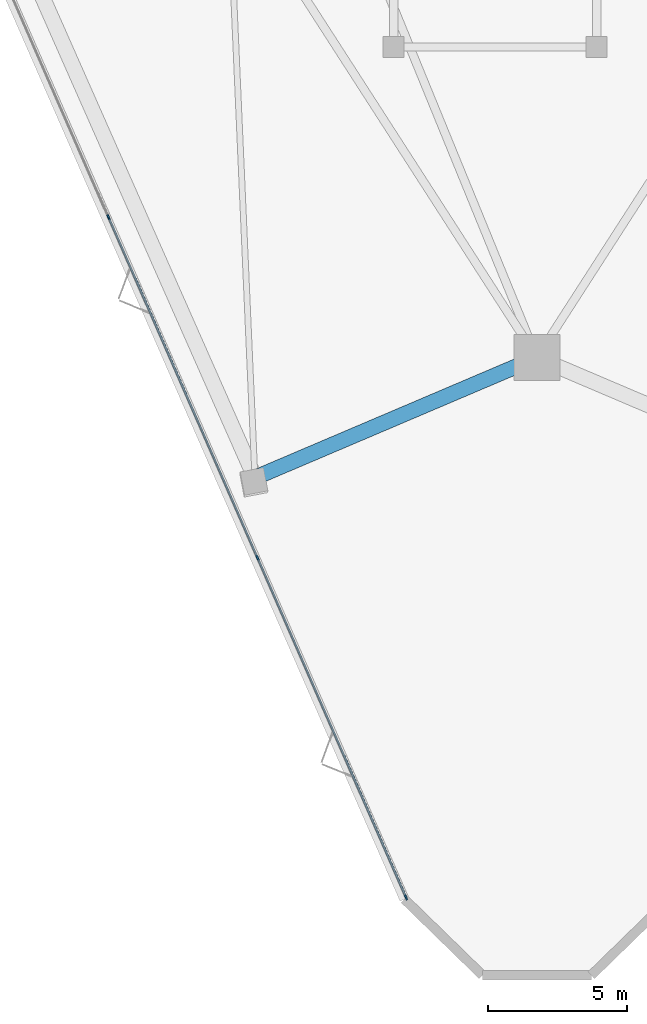
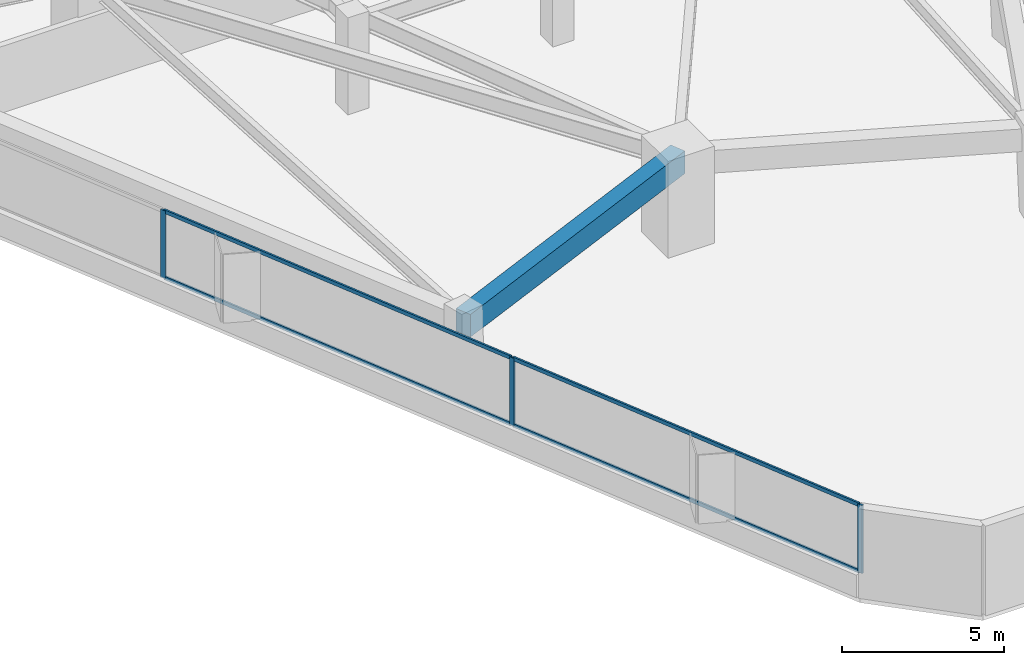
# One storey, part 2 of 20: 7 members, 1 beam, 1 element without a shape of its own.
"""IFC4 building model written with IfcOpenShell, lengths in metres."""

from ifc_helpers import new_model, si_unit, direction, frame, origin, origin_2d, place, context, subcontext, project, spatial, rectangle, extrude, material, layer, layer_set, material_profile, profile_set, type_object, element, aggregate, save


model = new_model("IFC4")

# Units and contexts
model_context = context("Model", 3, precision=1e-05, world=origin(), true_north=direction((0.0, 1.0)))
body_context = subcontext(model_context, "Body", "Model", "MODEL_VIEW")
ifc_project = project(units=[si_unit("LENGTHUNIT", "METRE"), si_unit("AREAUNIT", "SQUARE_METRE"), si_unit("VOLUMEUNIT", "CUBIC_METRE"), si_unit("PLANEANGLEUNIT", "RADIAN"), si_unit("MASSUNIT", "GRAM", prefix="KILO")], contexts=[model_context])

# Site, building, storey
site_placement = place(None, origin())
site = spatial("IfcSite", under=ifc_project, at=site_placement, CompositionType="ELEMENT")
building_placement = place(site_placement, origin())
building = spatial("IfcBuilding", under=site, at=building_placement, Name="Talyreon Biosciences Tower", CompositionType="ELEMENT")
storey_placement = place(building_placement, frame((0.0, 0.0, 78.64990234375)))
storey = spatial("IfcBuildingStorey", under=building, at=storey_placement, Name="L20", CompositionType="ELEMENT", Elevation=78.64990234375)

# Curtain wall, members
ifc_material_1 = material(Name="Thermally broken aluminium and low-E glazing", Category="aluminium")
ifc_layer = layer(ifc_material_1, 0.18994140625)
ifc_layer_set = layer_set([ifc_layer], Name="Thermally broken aluminium and low-E glazing")
curtain_wall_type = type_object("IfcCurtainWallType", Name="CurtainWall_Zone2Genomics", PredefinedType="NOTDEFINED", material=ifc_layer_set)
curtain_wall_placement = place(storey_placement, origin())
curtain_wall = element("IfcCurtainWall", 1, at=curtain_wall_placement, inside=storey, type_object=curtain_wall_type, Name="L20 Unitised Curtain Wall FCW-L20-00", PredefinedType="NOTDEFINED")
ifc_material_2 = material(Name="Anodised thermally broken aluminium", Category="aluminium")
ifc_material_profile_1 = material_profile(ifc_material_2, rectangle(XDim=0.06494140625, YDim=0.179931640625, at=origin_2d()), Name="ALUM MULLION 65x180")
ifc_profile_set_1 = profile_set([ifc_material_profile_1], Name="Anodised thermally broken aluminium")
member_type_1 = type_object("IfcMemberType", Name="CWMullion_65x180", PredefinedType="MULLION", material=ifc_profile_set_1)
member_1_placement = place(storey_placement, frame((61.2958984375, 22.253173828125, 0.81005859375), z_axis=(0.0, 0.0, 1.0), x_axis=(-0.916213942072, -0.400689421314, 0.0)))
member_1 = element("IfcMember", 2, at=member_1_placement, type_object=member_type_1, Name="CW3 mullion 1", PredefinedType="MULLION", context=body_context, shape_type="SweptSolid", body=[
    extrude(rectangle(XDim=0.06494140625, YDim=0.179931640625, at=origin_2d()), origin(), (0.0, 0.0, 1.0), 2.56494140625),
])
member_2_placement = place(storey_placement, frame((55.9521484375, 34.472412109375, 0.81005859375), z_axis=(0.0, 0.0, 1.0), x_axis=(-0.916213942072, -0.400689421314, 0.0)))
member_2 = element("IfcMember", 3, at=member_2_placement, type_object=member_type_1, Name="CW3 mullion 2", PredefinedType="MULLION", context=body_context, shape_type="SweptSolid", body=[
    extrude(rectangle(XDim=0.06494140625, YDim=0.179931640625, at=origin_2d()), origin(), (0.0, 0.0, 1.0), 2.56494140625),
])
member_3_placement = place(storey_placement, frame((50.59521484375, 46.721435546875, 0.81005859375), z_axis=(0.0, 0.0, 1.0), x_axis=(-0.916213942072, -0.400689421314, 0.0)))
member_3 = element("IfcMember", 4, at=member_3_placement, type_object=member_type_1, Name="CW3 mullion 3", PredefinedType="MULLION", context=body_context, shape_type="SweptSolid", body=[
    extrude(rectangle(XDim=0.06494140625, YDim=0.179931640625, at=origin_2d()), origin(), (0.0, 0.0, 1.0), 2.56494140625),
])
ifc_material_profile_2 = material_profile(ifc_material_2, rectangle(XDim=0.06494140625, YDim=0.139892578125, at=origin_2d()), Name="ALUM TRANSOM 65x140")
ifc_profile_set_2 = profile_set([ifc_material_profile_2], Name="Anodised thermally broken aluminium")
member_type_2 = type_object("IfcMemberType", Name="CWTransom_65x140", PredefinedType="USERDEFINED", material=ifc_profile_set_2)
member_4_placement = place(storey_placement, frame((61.282958984375, 22.282958984375, 0.842529296875), z_axis=(-0.40069337817, 0.916212211603, 0.0), x_axis=(-0.916212211603, -0.40069337817, 0.0)))
member_4 = element("IfcMember", 5, at=member_4_placement, type_object=member_type_2, Name="CW3 transom 1.1", ObjectType="TRANSOM", PredefinedType="USERDEFINED", context=body_context, shape_type="SweptSolid", body=[
    extrude(rectangle(XDim=0.06494140625, YDim=0.139892578125, at=origin_2d()), origin(), (0.0, 0.0, 1.0), 13.271728515625),
])
member_5_placement = place(storey_placement, frame((61.282958984375, 22.282958984375, 3.342529296875), z_axis=(-0.40069337817, 0.916212211603, 0.0), x_axis=(-0.916212211603, -0.40069337817, 0.0)))
member_5 = element("IfcMember", 6, at=member_5_placement, type_object=member_type_2, Name="CW3 transom 1.2", ObjectType="TRANSOM", PredefinedType="USERDEFINED", context=body_context, shape_type="SweptSolid", body=[
    extrude(rectangle(XDim=0.06494140625, YDim=0.139892578125, at=origin_2d()), origin(), (0.0, 0.0, 1.0), 13.271728515625),
])
member_6_placement = place(storey_placement, frame((55.93896484375, 34.502197265625, 0.842529296875), z_axis=(-0.40068790809, 0.916214603852, 0.0), x_axis=(-0.916214603852, -0.40068790809, 0.0)))
member_6 = element("IfcMember", 7, at=member_6_placement, type_object=member_type_2, Name="CW3 transom 2.1", ObjectType="TRANSOM", PredefinedType="USERDEFINED", context=body_context, shape_type="SweptSolid", body=[
    extrude(rectangle(XDim=0.06494140625, YDim=0.139892578125, at=origin_2d()), origin(), (0.0, 0.0, 1.0), 13.30419921875),
])
member_7_placement = place(storey_placement, frame((55.93896484375, 34.502197265625, 3.342529296875), z_axis=(-0.40068790809, 0.916214603852, 0.0), x_axis=(-0.916214603852, -0.40068790809, 0.0)))
member_7 = element("IfcMember", 8, at=member_7_placement, type_object=member_type_2, Name="CW3 transom 2.2", ObjectType="TRANSOM", PredefinedType="USERDEFINED", context=body_context, shape_type="SweptSolid", body=[
    extrude(rectangle(XDim=0.06494140625, YDim=0.139892578125, at=origin_2d()), origin(), (0.0, 0.0, 1.0), 13.30419921875),
])
aggregate(curtain_wall, [member_1, member_2, member_3, member_4, member_5, member_6, member_7])

# Beam
ifc_material_3 = material(Name="Precast concrete C45/55", Category="concrete")
ifc_material_profile_3 = material_profile(ifc_material_3, rectangle(XDim=0.550048828125, YDim=0.85009765625, at=origin_2d()), Name="RCB 550x850")
ifc_profile_set_3 = profile_set([ifc_material_profile_3], Name="Precast concrete C45/55")
beam_type = type_object("IfcBeamType", Name="ExpressedSpandrel_550x850", PredefinedType="SPANDREL", material=ifc_profile_set_3)
beam_placement = place(storey_placement, frame((55.861083984375, 37.350830078125, 2.9501953125), z_axis=(0.920098069495, 0.391688067871, 0.0), x_axis=(-0.391688067871, 0.920098069495, 0.0)))
element("IfcBeam", 9, at=beam_placement, inside=storey, type_object=beam_type, Name="L20 Expressed Horizontal Concrete Spandrel 12", PredefinedType="SPANDREL", context=body_context, shape_type="SweptSolid", body=[
    extrude(rectangle(XDim=0.550048828125, YDim=0.85009765625, at=origin_2d()), origin(), (0.0, 0.0, 1.0), 11.019287109375),
])

save(model, "model.ifc")
